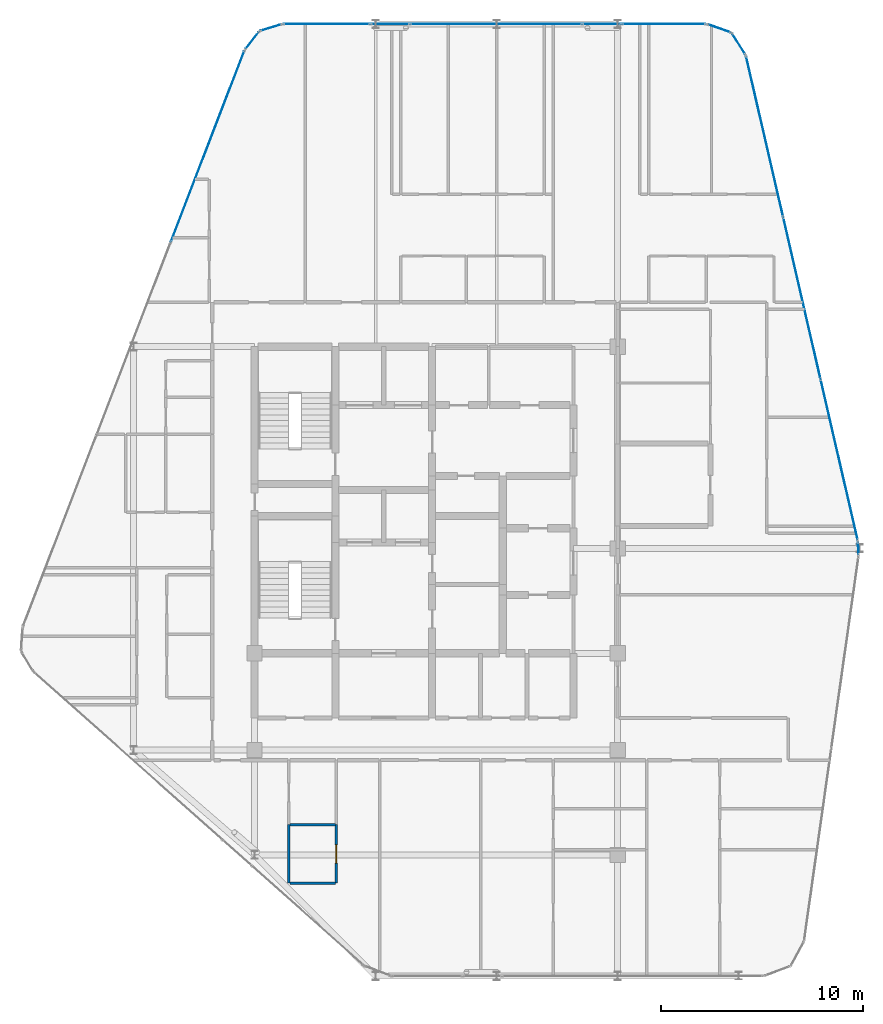
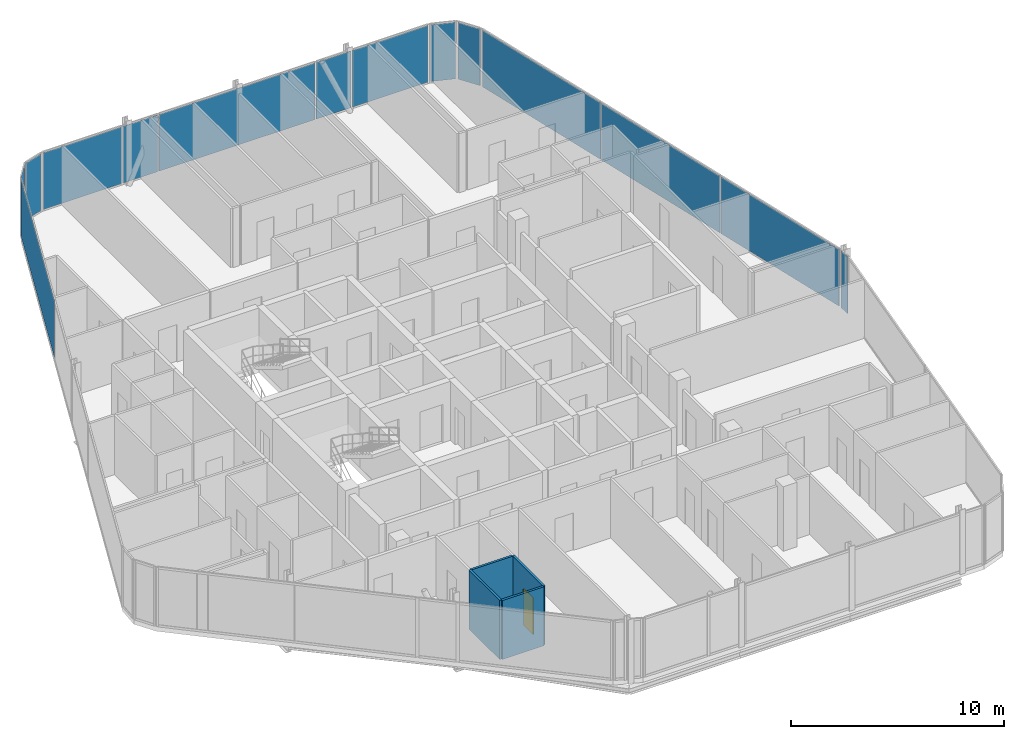
# One storey, part 21 of 27: 14 plates, 4 walls, 1 door, 1 opening, 12 elements without a shape of their own.
"""IFC4 building model written with IfcOpenShell, lengths in metres."""

import ifcopenshell
import ifcopenshell.guid

model = None  # the IFC model being written
_history = None  # IfcOwnerHistory: only IFC2X3 demands one
_inside = {}  # id of a spatial element -> (the spatial element, [elements in it])
_under = {}  # id of a project, library or spatial element -> (it, [spatial elements below it])
_declared = {}  # id of a project -> (the project, [libraries it declares])
_typed = {}  # id of a type object -> (the type object, [elements of that type])
_made_of = {}  # id of a material, layer set ... -> (it, [elements and type objects made of it])


def new_model(schema):
    """Start an empty IFC model of exactly this schema.

    Asked for "IFC4X3", IfcOpenShell would pick the latest addendum, in which some entities
    have other attributes; the version numbers below select the first issue.
    IFC2X3 requires an IfcOwnerHistory on every rooted entity: one is made here for all.
    """
    global model, _history
    if schema == "IFC4X3":
        model = ifcopenshell.file(schema_version=(4, 3, 0, 0))
    else:
        model = ifcopenshell.file(schema=schema)
    _inside.clear()
    _under.clear()
    _declared.clear()
    _typed.clear()
    _made_of.clear()
    _history = None
    if model.schema == "IFC2X3":
        org = make("IfcOrganization", Name="unknown")
        user = make(
            "IfcPersonAndOrganization",
            ThePerson=make("IfcPerson", FamilyName="unknown"),
            TheOrganization=org,
        )
        app = make(
            "IfcApplication",
            ApplicationDeveloper=org,
            Version="unknown",
            ApplicationFullName="unknown",
            ApplicationIdentifier="unknown",
        )
        _history = make(
            "IfcOwnerHistory",
            OwningUser=user,
            OwningApplication=app,
            ChangeAction="ADDED",
            CreationDate=0,
        )
    return model


def make(cls, **values):
    """One entity of the class cls with the attributes given. An attribute that is None is left unset."""
    return model.create_entity(
        cls, **{name: value for name, value in values.items() if value is not None}
    )


def rooted(cls, **values):
    """An entity with a GlobalId (a new one), such as an element, a storey or a relation."""
    return make(cls, GlobalId=ifcopenshell.guid.new(), OwnerHistory=_history, **values)


def si_unit(unit_type, name, prefix=None):
    """IfcSIUnit, for example si_unit("LENGTHUNIT", "METRE", prefix="MILLI")."""
    return make("IfcSIUnit", UnitType=unit_type, Prefix=prefix, Name=name)


def assignment(units):
    """IfcUnitAssignment: the units of a project."""
    return None if units is None else make("IfcUnitAssignment", Units=units)


def point(xyz):
    """IfcCartesianPoint."""
    return None if xyz is None else make("IfcCartesianPoint", Coordinates=xyz)


def direction(xyz):
    """IfcDirection."""
    return None if xyz is None else make("IfcDirection", DirectionRatios=xyz)


def frame(location, z_axis=None, x_axis=None):
    """IfcAxis2Placement3D, a coordinate frame: its origin and axes. An axis left out is left unset."""
    return make(
        "IfcAxis2Placement3D",
        Location=point(location),
        Axis=direction(z_axis),
        RefDirection=direction(x_axis),
    )


def frame_2d(location, x_axis=None):
    """IfcAxis2Placement2D, a coordinate frame in the plane: its origin and x axis."""
    return make(
        "IfcAxis2Placement2D", Location=point(location), RefDirection=direction(x_axis)
    )


def origin():
    """The frame at (0, 0, 0) with its axes left unset."""
    return frame((0.0, 0.0, 0.0))


def origin_2d():
    """The frame at (0, 0) in the plane with its x axis left unset."""
    return frame_2d((0.0, 0.0))


def place(relative_to, where):
    """IfcLocalPlacement: puts the frame where relative to a parent placement (None: the world)."""
    return make(
        "IfcLocalPlacement", PlacementRelTo=relative_to, RelativePlacement=where
    )


def context(
    kind, dimensions, precision=None, world=None, true_north=None, identifier=None
):
    """IfcGeometricRepresentationContext, for example the 3D "Model" context."""
    return make(
        "IfcGeometricRepresentationContext",
        ContextIdentifier=identifier,
        ContextType=kind,
        CoordinateSpaceDimension=dimensions,
        Precision=precision,
        WorldCoordinateSystem=world,
        TrueNorth=true_north,
    )


def subcontext(parent, identifier, kind, view, scale=None):
    """IfcGeometricRepresentationSubContext, for example "Body" below "Model"."""
    return make(
        "IfcGeometricRepresentationSubContext",
        ContextIdentifier=identifier,
        ContextType=kind,
        ParentContext=parent,
        TargetScale=scale,
        TargetView=view,
    )


def project(units=None, contexts=None):
    """IfcProject with its units and contexts."""
    return rooted(
        "IfcProject",
        Name="project",
        RepresentationContexts=contexts,
        UnitsInContext=assignment(units),
    )


def spatial(cls, under=None, at=None, **own):
    """A site, building, storey or space (cls), placed at a placement, below another one or the project."""
    s = rooted(cls, ObjectPlacement=at, **own)
    if under is not None:
        _under.setdefault(under.id(), (under, []))[1].append(s)
    return s


def profile(cls, at=None, kind="AREA", **sizes):
    """A parametric profile (cls). Its sizes go by their IFC names, for example OverallWidth=200.0."""
    return make(cls, ProfileType=kind, Position=at, **sizes)


def rectangle(**sizes):
    """IfcRectangleProfileDef."""
    return profile("IfcRectangleProfileDef", **sizes)


def extrude(swept, where, along, depth):
    """IfcExtrudedAreaSolid: the profile swept, set in the frame where, extruded along a direction by depth."""
    return make(
        "IfcExtrudedAreaSolid",
        SweptArea=swept,
        Position=where,
        ExtrudedDirection=direction(along),
        Depth=depth,
    )


def shape(context_of_items, identifier, shape_type, items):
    """IfcShapeRepresentation: the items that make up one representation, for example the "Body"."""
    return make(
        "IfcShapeRepresentation",
        ContextOfItems=context_of_items,
        RepresentationIdentifier=identifier,
        RepresentationType=shape_type,
        Items=items,
    )


def material(Name=None, Category=None):
    """IfcMaterial."""
    return make("IfcMaterial", Name=Name, Category=Category)


def layer(
    of_material, thickness, ventilated=None, Name=None, Category=None, Priority=None
):
    """IfcMaterialLayer: one layer of a wall or slab, of a material (None: an air gap)."""
    return make(
        "IfcMaterialLayer",
        Material=of_material,
        LayerThickness=thickness,
        IsVentilated=ventilated,
        Name=Name,
        Category=Category,
        Priority=Priority,
    )


def layer_set(layers, Name=None):
    """IfcMaterialLayerSet."""
    return make("IfcMaterialLayerSet", MaterialLayers=layers, LayerSetName=Name)


def made_of(thing, what):
    """Note that an element or type object is made of a material, layer set ...; save() writes the relation."""
    if what is not None:
        _made_of.setdefault(what.id(), (what, []))[1].append(thing)
    return thing


def type_object(cls, material=None, **own):
    """A type object (cls), such as IfcWallType, which elements share."""
    return made_of(rooted(cls, **own), material)


def element(
    cls,
    number,
    at=None,
    inside=None,
    cuts=None,
    type_object=None,
    material=None,
    context=None,
    identifier="Body",
    shape_type=None,
    held_by="IfcProductDefinitionShape",
    body=None,
    shapes=None,
    **own,
):
    """One element of the class cls, such as IfcWall. Its Tag is "e" and its number.

    at: its placement. inside: the storey or other place that contains it. cuts: it is an
    opening in that element (IfcRelVoidsElement). A single representation is given by context,
    identifier, shape_type and body (its items); several are given by shapes. held_by: the class
    of the entity that holds the representations. save() writes the other relations.
    """
    e = rooted(cls, Tag="e%d" % number, ObjectPlacement=at, **own)
    if body is not None:
        shapes = [shape(context, identifier, shape_type, body)]
    if shapes is not None:
        e.Representation = make(held_by, Representations=shapes)
    if inside is not None:
        _inside.setdefault(inside.id(), (inside, []))[1].append(e)
    if cuts is not None:
        rooted(
            "IfcRelVoidsElement", RelatingBuildingElement=cuts, RelatedOpeningElement=e
        )
    if type_object is not None:
        _typed.setdefault(type_object.id(), (type_object, []))[1].append(e)
    return made_of(e, material)


def fill(opening, filler):
    """IfcRelFillsElement: the door or window that sits in an opening."""
    return rooted(
        "IfcRelFillsElement",
        RelatingOpeningElement=opening,
        RelatedBuildingElement=filler,
    )


def aggregate(whole, parts):
    """IfcRelAggregates: a whole, such as a stair, and the parts it consists of."""
    return rooted("IfcRelAggregates", RelatingObject=whole, RelatedObjects=parts)


def save(model, path):
    """Write the relations noted so far, then the file.

    IfcRelAggregates (storeys below a building ...), IfcRelContainedInSpatialStructure (elements
    in a storey), IfcRelDefinesByType, IfcRelAssociatesMaterial and IfcRelDeclares: one each for
    every whole, place, type object, material and project.
    """
    for whole, parts in _under.values():
        aggregate(whole, parts)
    for where, things in _inside.values():
        rooted(
            "IfcRelContainedInSpatialStructure",
            RelatedElements=things,
            RelatingStructure=where,
        )
    for kind, things in _typed.values():
        rooted("IfcRelDefinesByType", RelatedObjects=things, RelatingType=kind)
    for what, things in _made_of.values():
        rooted("IfcRelAssociatesMaterial", RelatedObjects=things, RelatingMaterial=what)
    for by, libraries in _declared.values():
        rooted("IfcRelDeclares", RelatingContext=by, RelatedDefinitions=libraries)
    model.write(path)


model = new_model("IFC4")

# Units and contexts
model_context = context("Model", 3, precision=1e-05, world=origin(), true_north=direction((0.0, 1.0)))
body_context = subcontext(model_context, "Body", "Model", "MODEL_VIEW")
ifc_project = project(units=[si_unit("LENGTHUNIT", "METRE"), si_unit("AREAUNIT", "SQUARE_METRE"), si_unit("VOLUMEUNIT", "CUBIC_METRE"), si_unit("PLANEANGLEUNIT", "RADIAN"), si_unit("MASSUNIT", "GRAM", prefix="KILO")], contexts=[model_context])

# Site, building, storey
site_placement = place(None, origin())
site = spatial("IfcSite", under=ifc_project, at=site_placement, CompositionType="ELEMENT")
building_placement = place(site_placement, origin())
building = spatial("IfcBuilding", under=site, at=building_placement, Name="Keshet Zoharim Tower", CompositionType="ELEMENT")
storey_placement = place(building_placement, frame((0.0, 0.0, 262.10009765625)))
storey = spatial("IfcBuildingStorey", under=building, at=storey_placement, Name="L65", CompositionType="ELEMENT", Elevation=262.10009765625)

# Curtain wall, plate
ifc_material_1 = material(Name="Aluminium 6063-T6", Category="aluminium")
ifc_layer_1 = layer(ifc_material_1, 0.260009765625)
ifc_layer_set_1 = layer_set([ifc_layer_1], Name="Aluminium 6063-T6")
curtain_wall_type = type_object("IfcCurtainWallType", Name="CW-SYS-06", PredefinedType="NOTDEFINED", material=ifc_layer_set_1)
curtain_wall_1_placement = place(storey_placement, origin())
curtain_wall_1 = element("IfcCurtainWall", 1, at=curtain_wall_1_placement, inside=storey, type_object=curtain_wall_type, Name="L65 Unitised Curtain Wall 03", PredefinedType="NOTDEFINED")
ifc_material_2 = material(Name="Insulated Low-E Clear Glass", Category="glass")
ifc_layer_2 = layer(ifc_material_2, 0.028076171875)
ifc_layer_set_2 = layer_set([ifc_layer_2], Name="Insulated Low-E Clear Glass")
plate_type_1 = type_object("IfcPlateType", Name="CWP-03", PredefinedType="CURTAIN_PANEL", material=ifc_layer_set_2)
plate_1_placement = place(storey_placement, frame((12.665771484375, 47.830810546875, 0.06982421875), z_axis=(0.0, 0.0, 1.0), x_axis=(0.358990003907, 0.933341404361, 0.0)))
plate_1 = element("IfcPlate", 2, at=plate_1_placement, type_object=plate_type_1, Name="CW-06 panel 3.1", PredefinedType="CURTAIN_PANEL", context=body_context, shape_type="SweptSolid", body=[
    extrude(rectangle(XDim=10.1181640625, YDim=0.028076171875, at=origin_2d()), origin(), (0.0, 0.0, 1.0), 3.25),
])
aggregate(curtain_wall_1, [plate_1])

curtain_wall_2_placement = place(storey_placement, origin())
curtain_wall_2 = element("IfcCurtainWall", 3, at=curtain_wall_2_placement, inside=storey, type_object=curtain_wall_type, Name="L65 Unitised Curtain Wall 04", PredefinedType="NOTDEFINED")
plate_2_placement = place(storey_placement, frame((14.8740234375, 53.08349609375, 0.06982421875), z_axis=(0.0, 0.0, 1.0), x_axis=(0.619124525989, 0.785292825205, 0.0)))
plate_2 = element("IfcPlate", 4, at=plate_2_placement, type_object=plate_type_1, Name="CW-06 panel 1.1", PredefinedType="CURTAIN_PANEL", context=body_context, shape_type="SweptSolid", body=[
    extrude(rectangle(XDim=1.045654296875, YDim=0.028076171875, at=origin_2d()), origin(), (0.0, 0.0, 1.0), 3.25),
])
aggregate(curtain_wall_2, [plate_2])

curtain_wall_3_placement = place(storey_placement, origin())
curtain_wall_3 = element("IfcCurtainWall", 5, at=curtain_wall_3_placement, inside=storey, type_object=curtain_wall_type, Name="L65 Unitised Curtain Wall 05", PredefinedType="NOTDEFINED")
plate_3_placement = place(storey_placement, frame((15.8076171875, 53.724609375, 0.06982421875), z_axis=(0.0, 0.0, 1.0), x_axis=(0.955212151288, 0.295921857984, 0.0)))
plate_3 = element("IfcPlate", 6, at=plate_3_placement, type_object=plate_type_1, Name="CW-06 panel 1.1", PredefinedType="CURTAIN_PANEL", context=body_context, shape_type="SweptSolid", body=[
    extrude(rectangle(XDim=1.046142578125, YDim=0.028076171875, at=origin_2d()), origin(), (0.0, 0.0, 1.0), 3.25),
])
aggregate(curtain_wall_3, [plate_3])

curtain_wall_4_placement = place(storey_placement, origin())
curtain_wall_4 = element("IfcCurtainWall", 7, at=curtain_wall_4_placement, inside=storey, type_object=curtain_wall_type, Name="L65 Unitised Curtain Wall 06", PredefinedType="NOTDEFINED")
plate_4_placement = place(storey_placement, frame((18.57470703125, 53.89990234375, 0.06982421875), z_axis=(0.0, 0.0, 1.0), x_axis=(1.0, 0.0, 0.0)))
plate_4 = element("IfcPlate", 8, at=plate_4_placement, type_object=plate_type_1, Name="CW-06 panel 1.1", PredefinedType="CURTAIN_PANEL", context=body_context, shape_type="SweptSolid", body=[
    extrude(rectangle(XDim=4.26123046875, YDim=0.028076171875, at=origin_2d()), origin(), (0.0, 0.0, 1.0), 3.25),
])
aggregate(curtain_wall_4, [plate_4])

curtain_wall_5_placement = place(storey_placement, origin())
curtain_wall_5 = element("IfcCurtainWall", 9, at=curtain_wall_5_placement, inside=storey, type_object=curtain_wall_type, Name="L65 Unitised Curtain Wall 06 Part 3", PredefinedType="NOTDEFINED")
plate_5_placement = place(storey_placement, frame((26.965087890625, 53.89990234375, 0.06982421875), z_axis=(0.0, 0.0, 1.0), x_axis=(1.0, 0.0, 0.0)))
plate_5 = element("IfcPlate", 10, at=plate_5_placement, type_object=plate_type_1, Name="CW-06 panel 1.1", PredefinedType="CURTAIN_PANEL", context=body_context, shape_type="SweptSolid", body=[
    extrude(rectangle(XDim=8.48046875, YDim=0.028076171875, at=origin_2d()), origin(), (0.0, 0.0, 1.0), 3.25),
])
aggregate(curtain_wall_5, [plate_5])

curtain_wall_6_placement = place(storey_placement, origin())
curtain_wall_6 = element("IfcCurtainWall", 11, at=curtain_wall_6_placement, inside=storey, type_object=curtain_wall_type, Name="L65 Unitised Curtain Wall 06 Part 5", PredefinedType="NOTDEFINED")
plate_6_placement = place(storey_placement, frame((35.281982421875, 53.89990234375, 0.06982421875), z_axis=(0.0, 0.0, 1.0), x_axis=(1.0, 0.0, 0.0)))
plate_6 = element("IfcPlate", 12, at=plate_6_placement, type_object=plate_type_1, Name="CW-06 panel 1.1", PredefinedType="CURTAIN_PANEL", context=body_context, shape_type="SweptSolid", body=[
    extrude(rectangle(XDim=4.1142578125, YDim=0.028076171875, at=origin_2d()), origin(), (0.0, 0.0, 1.0), 3.25),
])
aggregate(curtain_wall_6, [plate_6])

curtain_wall_7_placement = place(storey_placement, origin())
curtain_wall_7 = element("IfcCurtainWall", 13, at=curtain_wall_7_placement, inside=storey, type_object=curtain_wall_type, Name="L65 Unitised Curtain Wall 07", PredefinedType="NOTDEFINED")
plate_7_placement = place(storey_placement, frame((38.031494140625, 53.6826171875, 0.06982421875), z_axis=(0.0, 0.0, 1.0), x_axis=(0.944035542119, -0.329843743636, 0.0)))
plate_7 = element("IfcPlate", 14, at=plate_7_placement, type_object=plate_type_1, Name="CW-06 panel 1.1", PredefinedType="CURTAIN_PANEL", context=body_context, shape_type="SweptSolid", body=[
    extrude(rectangle(XDim=1.1787109375, YDim=0.028076171875, at=origin_2d()), origin(), (0.0, 0.0, 1.0), 3.25),
])
aggregate(curtain_wall_7, [plate_7])

curtain_wall_8_placement = place(storey_placement, origin())
curtain_wall_8 = element("IfcCurtainWall", 15, at=curtain_wall_8_placement, inside=storey, type_object=curtain_wall_type, Name="L65 Unitised Curtain Wall 08", PredefinedType="NOTDEFINED")
plate_8_placement = place(storey_placement, frame((39.006103515625, 52.907470703125, 0.06982421875), z_axis=(0.0, 0.0, 1.0), x_axis=(0.533878858502, -0.845560976183, 0.0)))
plate_8 = element("IfcPlate", 16, at=plate_8_placement, type_object=plate_type_1, Name="CW-06 panel 1.1", PredefinedType="CURTAIN_PANEL", context=body_context, shape_type="SweptSolid", body=[
    extrude(rectangle(XDim=1.1787109375, YDim=0.028076171875, at=origin_2d()), origin(), (0.0, 0.0, 1.0), 3.25),
])
aggregate(curtain_wall_8, [plate_8])

# Curtain wall, plates
curtain_wall_9_placement = place(storey_placement, origin())
curtain_wall_9 = element("IfcCurtainWall", 17, at=curtain_wall_9_placement, inside=storey, type_object=curtain_wall_type, Name="L65 Unitised Curtain Wall 09", PredefinedType="NOTDEFINED")
plate_9_placement = place(storey_placement, frame((40.288330078125, 48.318359375, 0.06982421875), z_axis=(0.0, 0.0, 1.0), x_axis=(0.224829963294, -0.974398012932, 0.0)))
plate_9 = element("IfcPlate", 18, at=plate_9_placement, type_object=plate_type_1, Name="CW-06 panel 1.1", PredefinedType="CURTAIN_PANEL", context=body_context, shape_type="SweptSolid", body=[
    extrude(rectangle(XDim=8.13525390625, YDim=0.028076171875, at=origin_2d()), origin(), (0.0, 0.0, 1.0), 3.25),
])
plate_10_placement = place(storey_placement, frame((42.136962890625, 40.305908203125, 0.06982421875), z_axis=(0.0, 0.0, 1.0), x_axis=(0.224829963294, -0.974398012932, 0.0)))
plate_10 = element("IfcPlate", 19, at=plate_10_placement, type_object=plate_type_1, Name="CW-06 panel 2.1", PredefinedType="CURTAIN_PANEL", context=body_context, shape_type="SweptSolid", body=[
    extrude(rectangle(XDim=8.17041015625, YDim=0.028076171875, at=origin_2d()), origin(), (0.0, 0.0, 1.0), 3.25),
])
plate_11_placement = place(storey_placement, frame((43.98583984375, 32.293701171875, 0.06982421875), z_axis=(0.0, 0.0, 1.0), x_axis=(0.224829963294, -0.974398012932, 0.0)))
plate_11 = element("IfcPlate", 20, at=plate_11_placement, type_object=plate_type_1, Name="CW-06 panel 3.1", PredefinedType="CURTAIN_PANEL", context=body_context, shape_type="SweptSolid", body=[
    extrude(rectangle(XDim=8.13525390625, YDim=0.028076171875, at=origin_2d()), origin(), (0.0, 0.0, 1.0), 3.25),
])
aggregate(curtain_wall_9, [plate_9, plate_10, plate_11])

# Curtain wall, plate
curtain_wall_10_placement = place(storey_placement, origin())
curtain_wall_10 = element("IfcCurtainWall", 21, at=curtain_wall_10_placement, inside=storey, type_object=curtain_wall_type, Name="L65 Unitised Curtain Wall 10", PredefinedType="NOTDEFINED")
plate_12_placement = place(storey_placement, frame((44.931884765625, 27.89697265625, 0.06982421875), z_axis=(0.0, 0.0, 1.0), x_axis=(0.043793560626, -0.999040601801, 0.0)))
plate_12 = element("IfcPlate", 22, at=plate_12_placement, type_object=plate_type_1, Name="CW-06 panel 1.1", PredefinedType="CURTAIN_PANEL", context=body_context, shape_type="SweptSolid", body=[
    extrude(rectangle(XDim=0.5908203125, YDim=0.028076171875, at=origin_2d()), origin(), (0.0, 0.0, 1.0), 3.25),
])
aggregate(curtain_wall_10, [plate_12])

curtain_wall_11_placement = place(storey_placement, origin())
curtain_wall_11 = element("IfcCurtainWall", 23, at=curtain_wall_11_placement, inside=storey, type_object=curtain_wall_type, Name="L65 Unitised Curtain Wall 06 Part 2", PredefinedType="NOTDEFINED")
ifc_material_3 = material(Name="Insulated Aluminium Spandrel Panel", Category="aluminium")
ifc_layer_3 = layer(ifc_material_3, 0.028076171875)
ifc_layer_set_3 = layer_set([ifc_layer_3], Name="Insulated Aluminium Spandrel Panel")
plate_type_2 = type_object("IfcPlateType", Name="CWP-06", PredefinedType="CURTAIN_PANEL", material=ifc_layer_set_3)
plate_13_placement = place(storey_placement, frame((21.715087890625, 53.89990234375, 0.06982421875), z_axis=(0.0, 0.0, 1.0), x_axis=(1.0, 0.0, 0.0)))
plate_13 = element("IfcPlate", 24, at=plate_13_placement, type_object=plate_type_2, Name="CW-06 spandrel panel 1.1", PredefinedType="CURTAIN_PANEL", context=body_context, shape_type="SweptSolid", body=[
    extrude(rectangle(XDim=1.879638671875, YDim=0.028076171875, at=origin_2d()), origin(), (0.0, 0.0, 1.0), 3.25),
])
aggregate(curtain_wall_11, [plate_13])

curtain_wall_12_placement = place(storey_placement, origin())
curtain_wall_12 = element("IfcCurtainWall", 25, at=curtain_wall_12_placement, inside=storey, type_object=curtain_wall_type, Name="L65 Unitised Curtain Wall 06 Part 4", PredefinedType="NOTDEFINED")
plate_14_placement = place(storey_placement, frame((32.215087890625, 53.89990234375, 0.06982421875), z_axis=(0.0, 0.0, 1.0), x_axis=(1.0, 0.0, 0.0)))
plate_14 = element("IfcPlate", 26, at=plate_14_placement, type_object=plate_type_2, Name="CW-06 spandrel panel 1.1", PredefinedType="CURTAIN_PANEL", context=body_context, shape_type="SweptSolid", body=[
    extrude(rectangle(XDim=1.879638671875, YDim=0.028076171875, at=origin_2d()), origin(), (0.0, 0.0, 1.0), 3.25),
])
aggregate(curtain_wall_12, [plate_14])

# Wall
ifc_material_4 = material(Name="Gypsum Plasterboard", Category="gypsum")
ifc_layer_4 = layer(ifc_material_4, 0.1201171875)
ifc_layer_set_4 = layer_set([ifc_layer_4], Name="Gypsum Plasterboard")
wall_type = type_object("IfcWallType", Name="WL-WET-120", PredefinedType="PARTITIONING", material=ifc_layer_set_4)
wall_1_placement = place(storey_placement, frame((16.699951171875, 11.300048828125, 0.0), z_axis=(0.0, 0.0, 1.0), x_axis=(0.0, 1.0, 0.0)))
element("IfcWall", 27, at=wall_1_placement, inside=storey, type_object=wall_type, Name="L65 Interior Wall 025", PredefinedType="PARTITIONING", context=body_context, shape_type="SweptSolid", body=[
    extrude(rectangle(XDim=2.89990234375, YDim=0.1201171875, at=frame_2d((1.449951171875, 0.0))), origin(), (0.0, 0.0, 1.0), 3.389892578125),
])

# Wall, opening, door
wall_2_placement = place(storey_placement, frame((19.050048828125, 11.300048828125, 0.0), z_axis=(0.0, 0.0, 1.0), x_axis=(0.0, 1.0, 0.0)))
wall_2 = element("IfcWall", 28, at=wall_2_placement, inside=storey, type_object=wall_type, Name="L65 Interior Wall 033", PredefinedType="PARTITIONING", context=body_context, shape_type="SweptSolid", body=[
    extrude(rectangle(XDim=2.89990234375, YDim=0.1201171875, at=frame_2d((1.449951171875, 0.0))), origin(), (0.0, 0.0, 1.0), 3.389892578125),
])
opening_placement = place(wall_2_placement, frame((1.0, 0.0, 0.0)))
opening = element("IfcOpeningElement", 29, at=opening_placement, cuts=wall_2, Name="Opening D-WT90", PredefinedType="OPENING", context=body_context, shape_type="SweptSolid", body=[
    extrude(rectangle(XDim=0.89990234375, YDim=2.10009765625, at=frame_2d((0.449951171875, 1.050048828125))), frame((0.0, 0.070068359375, 0.0), z_axis=(0.0, -1.0, 0.0), x_axis=(1.0, 0.0, 0.0)), (0.0, 0.0, 1.0), 0.14013671875),
])
ifc_material_5 = material(Name="Hardwood Timber", Category="wood")
door_type = type_object("IfcDoorType", Name="DR-WET-090", OperationType="NOTDEFINED", PredefinedType="DOOR", material=ifc_material_5)
door_placement = place(opening_placement, origin())
door = element("IfcDoor", 30, at=door_placement, inside=storey, type_object=door_type, Name="Apartment 6501 Bathroom Door", OperationType="SINGLE_SWING_RIGHT", OverallHeight=2.10009765625, OverallWidth=0.89990234375, PredefinedType="DOOR", context=body_context, shape_type="SweptSolid", body=[
    extrude(rectangle(XDim=0.89990234375, YDim=2.10009765625, at=frame_2d((0.449951171875, 1.050048828125))), frame((0.0, 0.02490234375, 0.0), z_axis=(0.0, -1.0, 0.0), x_axis=(1.0, 0.0, 0.0)), (0.0, 0.0, 1.0), 0.050048828125),
])
fill(opening, door)

# Walls
for number, where, z_axis, x_axis, name in (
    (31, (16.7451171875, 11.300048828125, 0.0), (0.0, 0.0, 1.0), (1.0, 0.0, 0.0), "L65 Interior Wall 096"),
    (32, (16.7451171875, 14.199951171875, 0.0), (0.0, 0.0, 1.0), (1.0, 0.0, 0.0), "L65 Interior Wall 099"),
):
    element("IfcWall", number, at=place(storey_placement, frame(where, z_axis=z_axis, x_axis=x_axis)), inside=storey, type_object=wall_type, Name=name, PredefinedType="PARTITIONING", context=body_context, shape_type="SweptSolid", body=[
        extrude(rectangle(XDim=2.259765625, YDim=0.1201171875, at=frame_2d((1.1298828125, 0.0))), origin(), (0.0, 0.0, 1.0), 3.389892578125),
    ])

save(model, "model.ifc")
